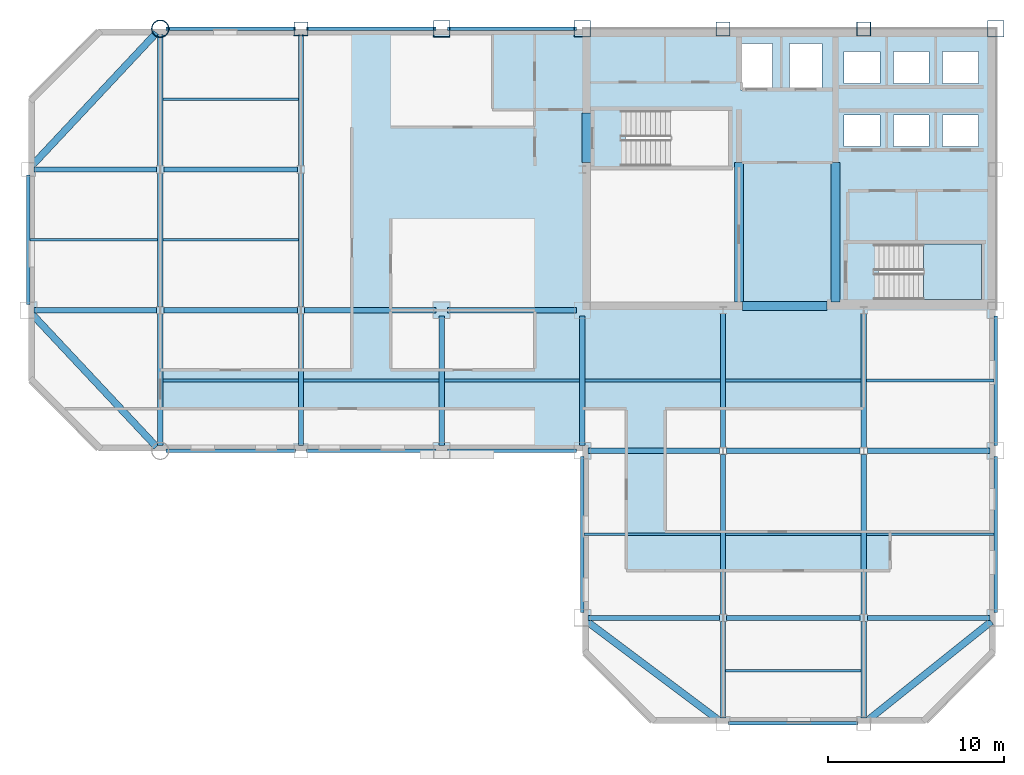
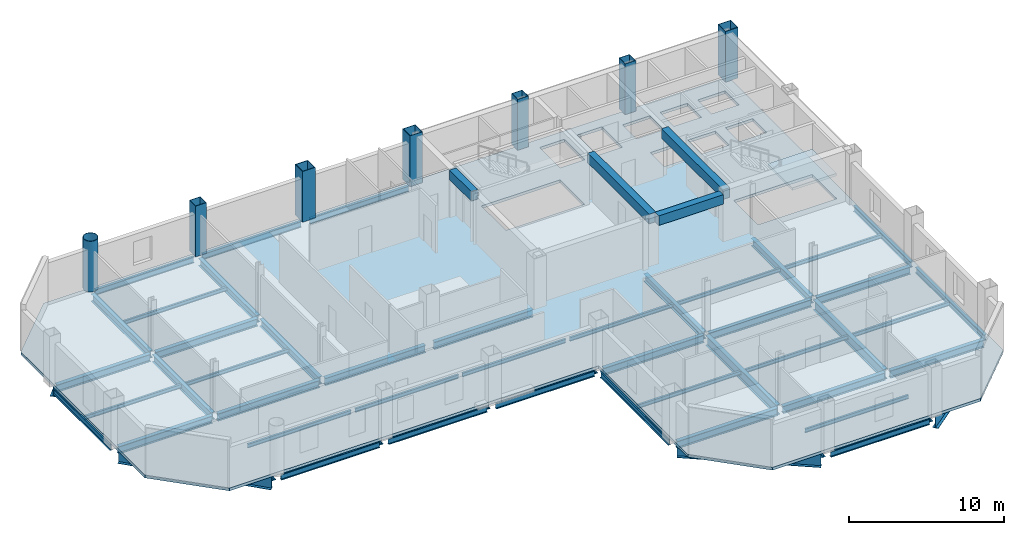
# One storey, part 3 of 10: 58 beams, 7 columns, 2 slabs, 1 element without a shape of its own.
"""IFC4 building model written with IfcOpenShell, lengths in metres."""

from ifc_helpers import new_model, si_unit, direction, frame, origin, origin_2d, place, context, subcontext, project, spatial, polyline, rectangle, hollow_rectangle, hollow_circle, i_section, outline, extrude, material, layer, layer_set, material_profile, profile_set, type_object, element, aggregate, save


model = new_model("IFC4")

# Units and contexts
model_context = context("Model", 3, precision=1e-05, world=origin(), true_north=direction((0.0, 1.0)))
body_context = subcontext(model_context, "Body", "Model", "MODEL_VIEW")
ifc_project = project(units=[si_unit("LENGTHUNIT", "METRE"), si_unit("AREAUNIT", "SQUARE_METRE"), si_unit("VOLUMEUNIT", "CUBIC_METRE"), si_unit("PLANEANGLEUNIT", "RADIAN"), si_unit("MASSUNIT", "GRAM", prefix="KILO")], contexts=[model_context])

# Site, building, storey
site_placement = place(None, origin())
site = spatial("IfcSite", under=ifc_project, at=site_placement, CompositionType="ELEMENT")
building_placement = place(site_placement, origin())
building = spatial("IfcBuilding", under=site, at=building_placement, Name="Qianrong Seaharbour Tower", CompositionType="ELEMENT")
storey_placement = place(building_placement, frame((0.0, 0.0, 217.800048828125)))
storey = spatial("IfcBuildingStorey", under=building, at=storey_placement, Name="L52", CompositionType="ELEMENT", Elevation=217.800048828125)

# Columns
ifc_material_1 = material(Name="Structural steel SN490B", Category="steel")
ifc_material_profile_1 = material_profile(ifc_material_1, hollow_rectangle(XDim=0.949951171875, YDim=0.949951171875, WallThickness=0.035888671875, at=origin_2d()), Name="BOX950x950x36")
ifc_profile_set_1 = profile_set([ifc_material_profile_1], Name="Structural steel SN490B")
column_type_1 = type_object("IfcColumnType", Name="COL-CFT-950", PredefinedType="COLUMN", material=ifc_profile_set_1)
for number, where, z_axis, x_axis, name in (
    (1, (32.5, 52.0, 0.0), (0.0, 0.0, 1.0), (1.0, 0.0, 0.0), "L52 Column MC-4 at G5/GH"),
    (2, (40.5, 52.0, 0.0), (0.0, 0.0, 1.0), (1.0, 0.0, 0.0), "L52 Column MC-4 at G6/GH"),
    (3, (64.0, 52.0, 0.0), (0.0, 0.0, 1.0), (1.0, 0.0, 0.0), "L52 Column MC-4 at G9/GH"),
):
    element("IfcColumn", number, at=place(storey_placement, frame(where, z_axis=z_axis, x_axis=x_axis)), inside=storey, type_object=column_type_1, Name=name, PredefinedType="COLUMN", context=body_context, shape_type="SweptSolid", body=[
        extrude(hollow_rectangle(XDim=0.949951171875, YDim=0.949951171875, WallThickness=0.035888671875, at=origin_2d()), origin(), (0.0, 0.0, 1.0), 4.0),
    ])
ifc_material_profile_2 = material_profile(ifc_material_1, hollow_circle(Radius=0.5, WallThickness=0.035888671875, at=origin_2d()), Name="CHS1000x36")
ifc_profile_set_2 = profile_set([ifc_material_profile_2], Name="Structural steel SN490B")
column_type_2 = type_object("IfcColumnType", Name="COL-CHS-1000", PredefinedType="COLUMN", material=ifc_profile_set_2)
column_placement = place(storey_placement, frame((16.5, 52.0, 0.0), z_axis=(0.0, 0.0, 1.0), x_axis=(1.0, 0.0, 0.0)))
element("IfcColumn", 4, at=column_placement, inside=storey, type_object=column_type_2, Name="L52 Column CC-2 at G3/GH", PredefinedType="COLUMN", context=body_context, shape_type="SweptSolid", body=[
    extrude(hollow_circle(Radius=0.5, WallThickness=0.035888671875, at=origin_2d()), origin(), (0.0, 0.0, 1.0), 4.0),
])
ifc_material_profile_3 = material_profile(ifc_material_1, hollow_rectangle(XDim=0.800048828125, YDim=0.800048828125, WallThickness=0.031982421875, at=origin_2d()), Name="BOX800x800x32")
ifc_profile_set_3 = profile_set([ifc_material_profile_3], Name="Structural steel SN490B")
column_type_3 = type_object("IfcColumnType", Name="COL-PER-800", PredefinedType="COLUMN", material=ifc_profile_set_3)
for number, where, z_axis, x_axis, name in (
    (5, (24.5, 52.0, 0.0), (0.0, 0.0, 1.0), (1.0, 0.0, 0.0), "L52 Column PC-3 at G4/GH"),
    (6, (48.5, 52.0, 0.0), (0.0, 0.0, 1.0), (1.0, 0.0, 0.0), "L52 Column PC-3 at G7/GH"),
    (7, (56.5, 52.0, 0.0), (0.0, 0.0, 1.0), (1.0, 0.0, 0.0), "L52 Column PC-3 at G8/GH"),
):
    element("IfcColumn", number, at=place(storey_placement, frame(where, z_axis=z_axis, x_axis=x_axis)), inside=storey, type_object=column_type_3, Name=name, PredefinedType="COLUMN", context=body_context, shape_type="SweptSolid", body=[
        extrude(hollow_rectangle(XDim=0.800048828125, YDim=0.800048828125, WallThickness=0.031982421875, at=origin_2d()), origin(), (0.0, 0.0, 1.0), 4.0),
    ])

# Beams
ifc_material_profile_4 = material_profile(ifc_material_1, i_section(OverallWidth=0.300048828125, OverallDepth=0.587890625, WebThickness=0.011962890625, FlangeThickness=0.02001953125, FilletRadius=0.02392578125, at=origin_2d()), Name="H588x300x12x20")
ifc_profile_set_4 = profile_set([ifc_material_profile_4], Name="Structural steel SN490B")
beam_type_1 = type_object("IfcBeamType", Name="BM-G-588", PredefinedType="BEAM", material=ifc_profile_set_4)
beam_1_placement = place(storey_placement, frame((40.820068359375, 18.5, -0.51904296875), z_axis=(1.0, 0.0, 0.0), x_axis=(0.0, 1.0, 0.0)))
element("IfcBeam", 8, at=beam_1_placement, inside=storey, type_object=beam_type_1, Name="L52 Primary Girder GD G6-G7", PredefinedType="BEAM", context=body_context, shape_type="SweptSolid", body=[
    extrude(i_section(OverallWidth=0.300048828125, OverallDepth=0.587890625, WebThickness=0.011962890625, FlangeThickness=0.02001953125, FilletRadius=0.02392578125, at=origin_2d()), origin(), (0.0, 0.0, 1.0), 7.47998046875),
])
beam_2_placement = place(storey_placement, frame((48.699951171875, 18.5, -0.51904296875), z_axis=(1.0, 0.0, 0.0), x_axis=(0.0, 1.0, 0.0)))
element("IfcBeam", 9, at=beam_2_placement, inside=storey, type_object=beam_type_1, Name="L52 Primary Girder GD G7-G8", PredefinedType="BEAM", context=body_context, shape_type="SweptSolid", body=[
    extrude(i_section(OverallWidth=0.300048828125, OverallDepth=0.587890625, WebThickness=0.011962890625, FlangeThickness=0.02001953125, FilletRadius=0.02392578125, at=origin_2d()), origin(), (0.0, 0.0, 1.0), 7.60009765625),
])
beam_3_placement = place(storey_placement, frame((56.699951171875, 18.5, -0.51904296875), z_axis=(1.0, 0.0, 0.0), x_axis=(0.0, 1.0, 0.0)))
element("IfcBeam", 10, at=beam_3_placement, inside=storey, type_object=beam_type_1, Name="L52 Primary Girder GD G8-G9", PredefinedType="BEAM", context=body_context, shape_type="SweptSolid", body=[
    extrude(i_section(OverallWidth=0.300048828125, OverallDepth=0.587890625, WebThickness=0.011962890625, FlangeThickness=0.02001953125, FilletRadius=0.02392578125, at=origin_2d()), origin(), (0.0, 0.0, 1.0), 6.97998046875),
])
beam_4_placement = place(storey_placement, frame((40.820068359375, 28.0, -0.51904296875), z_axis=(1.0, 0.0, 0.0), x_axis=(0.0, 1.0, 0.0)))
element("IfcBeam", 11, at=beam_4_placement, inside=storey, type_object=beam_type_1, Name="L52 Primary Girder GE G6-G7", PredefinedType="BEAM", context=body_context, shape_type="SweptSolid", body=[
    extrude(i_section(OverallWidth=0.300048828125, OverallDepth=0.587890625, WebThickness=0.011962890625, FlangeThickness=0.02001953125, FilletRadius=0.02392578125, at=origin_2d()), origin(), (0.0, 0.0, 1.0), 7.47998046875),
])
beam_5_placement = place(storey_placement, frame((48.699951171875, 28.0, -0.51904296875), z_axis=(1.0, 0.0, 0.0), x_axis=(0.0, 1.0, 0.0)))
element("IfcBeam", 12, at=beam_5_placement, inside=storey, type_object=beam_type_1, Name="L52 Primary Girder GE G7-G8", PredefinedType="BEAM", context=body_context, shape_type="SweptSolid", body=[
    extrude(i_section(OverallWidth=0.300048828125, OverallDepth=0.587890625, WebThickness=0.011962890625, FlangeThickness=0.02001953125, FilletRadius=0.02392578125, at=origin_2d()), origin(), (0.0, 0.0, 1.0), 7.60009765625),
])
for number, where, z_axis, x_axis, name in (
    (13, (56.699951171875, 28.0, -0.51904296875), (1.0, 0.0, 0.0), (0.0, 1.0, 0.0), "L52 Primary Girder GE G8-G9"),
    (14, (9.320068359375, 36.0, -0.51904296875), (1.0, 0.0, 0.0), (0.0, 1.0, 0.0), "L52 Primary Girder GF G2-G3"),
):
    element("IfcBeam", number, at=place(storey_placement, frame(where, z_axis=z_axis, x_axis=x_axis)), inside=storey, type_object=beam_type_1, Name=name, PredefinedType="BEAM", context=body_context, shape_type="SweptSolid", body=[
        extrude(i_section(OverallWidth=0.300048828125, OverallDepth=0.587890625, WebThickness=0.011962890625, FlangeThickness=0.02001953125, FilletRadius=0.02392578125, at=origin_2d()), origin(), (0.0, 0.0, 1.0), 6.97998046875),
    ])
beam_6_placement = place(storey_placement, frame((16.699951171875, 36.0, -0.51904296875), z_axis=(1.0, 0.0, 0.0), x_axis=(0.0, 1.0, 0.0)))
element("IfcBeam", 15, at=beam_6_placement, inside=storey, type_object=beam_type_1, Name="L52 Primary Girder GF G3-G4", PredefinedType="BEAM", context=body_context, shape_type="SweptSolid", body=[
    extrude(i_section(OverallWidth=0.300048828125, OverallDepth=0.587890625, WebThickness=0.011962890625, FlangeThickness=0.02001953125, FilletRadius=0.02392578125, at=origin_2d()), origin(), (0.0, 0.0, 1.0), 7.60009765625),
])
beam_7_placement = place(storey_placement, frame((24.699951171875, 36.0, -0.51904296875), z_axis=(1.0, 0.0, 0.0), x_axis=(0.0, 1.0, 0.0)))
element("IfcBeam", 16, at=beam_7_placement, inside=storey, type_object=beam_type_1, Name="L52 Primary Girder GF G4-G5", PredefinedType="BEAM", context=body_context, shape_type="SweptSolid", body=[
    extrude(i_section(OverallWidth=0.300048828125, OverallDepth=0.587890625, WebThickness=0.011962890625, FlangeThickness=0.02001953125, FilletRadius=0.02392578125, at=origin_2d()), origin(), (0.0, 0.0, 1.0), 7.47998046875),
])
beam_8_placement = place(storey_placement, frame((32.820068359375, 36.0, -0.51904296875), z_axis=(1.0, 0.0, 0.0), x_axis=(0.0, 1.0, 0.0)))
element("IfcBeam", 17, at=beam_8_placement, inside=storey, type_object=beam_type_1, Name="L52 Primary Girder GF G5-G6", PredefinedType="BEAM", context=body_context, shape_type="SweptSolid", body=[
    extrude(i_section(OverallWidth=0.300048828125, OverallDepth=0.587890625, WebThickness=0.011962890625, FlangeThickness=0.02001953125, FilletRadius=0.02392578125, at=origin_2d()), origin(), (0.0, 0.0, 1.0), 7.35986328125),
])
beam_9_placement = place(storey_placement, frame((9.320068359375, 44.0, -0.51904296875), z_axis=(1.0, 0.0, 0.0), x_axis=(0.0, 1.0, 0.0)))
element("IfcBeam", 18, at=beam_9_placement, inside=storey, type_object=beam_type_1, Name="L52 Primary Girder GG G2-G3", PredefinedType="BEAM", context=body_context, shape_type="SweptSolid", body=[
    extrude(i_section(OverallWidth=0.300048828125, OverallDepth=0.587890625, WebThickness=0.011962890625, FlangeThickness=0.02001953125, FilletRadius=0.02392578125, at=origin_2d()), origin(), (0.0, 0.0, 1.0), 6.97998046875),
])
beam_10_placement = place(storey_placement, frame((16.699951171875, 44.0, -0.51904296875), z_axis=(1.0, 0.0, 0.0), x_axis=(0.0, 1.0, 0.0)))
element("IfcBeam", 19, at=beam_10_placement, inside=storey, type_object=beam_type_1, Name="L52 Primary Girder GG G3-G4", PredefinedType="BEAM", context=body_context, shape_type="SweptSolid", body=[
    extrude(i_section(OverallWidth=0.300048828125, OverallDepth=0.587890625, WebThickness=0.011962890625, FlangeThickness=0.02001953125, FilletRadius=0.02392578125, at=origin_2d()), origin(), (0.0, 0.0, 1.0), 7.60009765625),
])
beam_11_placement = place(storey_placement, frame((16.5, 28.320068359375, -0.51904296875), z_axis=(0.0, 1.0, 0.0), x_axis=(-1.0, 0.0, 0.0)))
element("IfcBeam", 20, at=beam_11_placement, inside=storey, type_object=beam_type_1, Name="L52 Primary Girder G3 GE-GF", PredefinedType="BEAM", context=body_context, shape_type="SweptSolid", body=[
    extrude(i_section(OverallWidth=0.300048828125, OverallDepth=0.587890625, WebThickness=0.011962890625, FlangeThickness=0.02001953125, FilletRadius=0.02392578125, at=origin_2d()), origin(), (0.0, 0.0, 1.0), 7.47998046875),
])
beam_12_placement = place(storey_placement, frame((16.5, 36.199951171875, -0.51904296875), z_axis=(0.0, 1.0, 0.0), x_axis=(-1.0, 0.0, 0.0)))
element("IfcBeam", 21, at=beam_12_placement, inside=storey, type_object=beam_type_1, Name="L52 Primary Girder G3 GF-GG", PredefinedType="BEAM", context=body_context, shape_type="SweptSolid", body=[
    extrude(i_section(OverallWidth=0.300048828125, OverallDepth=0.587890625, WebThickness=0.011962890625, FlangeThickness=0.02001953125, FilletRadius=0.02392578125, at=origin_2d()), origin(), (0.0, 0.0, 1.0), 7.60009765625),
])
for number, where, z_axis, x_axis, name in (
    (22, (16.5, 44.199951171875, -0.51904296875), (0.0, 1.0, 0.0), (-1.0, 0.0, 0.0), "L52 Primary Girder G3 GG-GH"),
    (23, (24.5, 28.320068359375, -0.51904296875), (0.0, 1.0, 0.0), (-1.0, 0.0, 0.0), "L52 Primary Girder G4 GE-GF"),
):
    element("IfcBeam", number, at=place(storey_placement, frame(where, z_axis=z_axis, x_axis=x_axis)), inside=storey, type_object=beam_type_1, Name=name, PredefinedType="BEAM", context=body_context, shape_type="SweptSolid", body=[
        extrude(i_section(OverallWidth=0.300048828125, OverallDepth=0.587890625, WebThickness=0.011962890625, FlangeThickness=0.02001953125, FilletRadius=0.02392578125, at=origin_2d()), origin(), (0.0, 0.0, 1.0), 7.47998046875),
    ])
beam_13_placement = place(storey_placement, frame((24.5, 36.199951171875, -0.51904296875), z_axis=(0.0, 1.0, 0.0), x_axis=(-1.0, 0.0, 0.0)))
element("IfcBeam", 24, at=beam_13_placement, inside=storey, type_object=beam_type_1, Name="L52 Primary Girder G4 GF-GG", PredefinedType="BEAM", context=body_context, shape_type="SweptSolid", body=[
    extrude(i_section(OverallWidth=0.300048828125, OverallDepth=0.587890625, WebThickness=0.011962890625, FlangeThickness=0.02001953125, FilletRadius=0.02392578125, at=origin_2d()), origin(), (0.0, 0.0, 1.0), 7.60009765625),
])
beam_14_placement = place(storey_placement, frame((24.5, 44.199951171875, -0.51904296875), z_axis=(0.0, 1.0, 0.0), x_axis=(-1.0, 0.0, 0.0)))
element("IfcBeam", 25, at=beam_14_placement, inside=storey, type_object=beam_type_1, Name="L52 Primary Girder G4 GG-GH", PredefinedType="BEAM", context=body_context, shape_type="SweptSolid", body=[
    extrude(i_section(OverallWidth=0.300048828125, OverallDepth=0.587890625, WebThickness=0.011962890625, FlangeThickness=0.02001953125, FilletRadius=0.02392578125, at=origin_2d()), origin(), (0.0, 0.0, 1.0), 7.47998046875),
])
for number, where, z_axis, x_axis, name in (
    (26, (32.5, 28.320068359375, -0.51904296875), (0.0, 1.0, 0.0), (-1.0, 0.0, 0.0), "L52 Primary Girder G5 GE-GF"),
    (27, (40.5, 28.320068359375, -0.51904296875), (0.0, 1.0, 0.0), (-1.0, 0.0, 0.0), "L52 Primary Girder G6 GE-GF"),
):
    element("IfcBeam", number, at=place(storey_placement, frame(where, z_axis=z_axis, x_axis=x_axis)), inside=storey, type_object=beam_type_1, Name=name, PredefinedType="BEAM", context=body_context, shape_type="SweptSolid", body=[
        extrude(i_section(OverallWidth=0.300048828125, OverallDepth=0.587890625, WebThickness=0.011962890625, FlangeThickness=0.02001953125, FilletRadius=0.02392578125, at=origin_2d()), origin(), (0.0, 0.0, 1.0), 7.35986328125),
    ])
beam_15_placement = place(storey_placement, frame((48.5, 12.820068359375, -0.51904296875), z_axis=(0.0, 1.0, 0.0), x_axis=(-1.0, 0.0, 0.0)))
element("IfcBeam", 28, at=beam_15_placement, inside=storey, type_object=beam_type_1, Name="L52 Primary Girder G7 GC-GD", PredefinedType="BEAM", context=body_context, shape_type="SweptSolid", body=[
    extrude(i_section(OverallWidth=0.300048828125, OverallDepth=0.587890625, WebThickness=0.011962890625, FlangeThickness=0.02001953125, FilletRadius=0.02392578125, at=origin_2d()), origin(), (0.0, 0.0, 1.0), 5.47998046875),
])
beam_16_placement = place(storey_placement, frame((48.5, 28.199951171875, -0.51904296875), z_axis=(0.0, 1.0, 0.0), x_axis=(-1.0, 0.0, 0.0)))
element("IfcBeam", 29, at=beam_16_placement, inside=storey, type_object=beam_type_1, Name="L52 Primary Girder G7 GE-GF", PredefinedType="BEAM", context=body_context, shape_type="SweptSolid", body=[
    extrude(i_section(OverallWidth=0.300048828125, OverallDepth=0.587890625, WebThickness=0.011962890625, FlangeThickness=0.02001953125, FilletRadius=0.02392578125, at=origin_2d()), origin(), (0.0, 0.0, 1.0), 7.60009765625),
])
beam_17_placement = place(storey_placement, frame((56.5, 12.820068359375, -0.51904296875), z_axis=(0.0, 1.0, 0.0), x_axis=(-1.0, 0.0, 0.0)))
element("IfcBeam", 30, at=beam_17_placement, inside=storey, type_object=beam_type_1, Name="L52 Primary Girder G8 GC-GD", PredefinedType="BEAM", context=body_context, shape_type="SweptSolid", body=[
    extrude(i_section(OverallWidth=0.300048828125, OverallDepth=0.587890625, WebThickness=0.011962890625, FlangeThickness=0.02001953125, FilletRadius=0.02392578125, at=origin_2d()), origin(), (0.0, 0.0, 1.0), 5.47998046875),
])
beam_18_placement = place(storey_placement, frame((56.5, 28.199951171875, -0.51904296875), z_axis=(0.0, 1.0, 0.0), x_axis=(-1.0, 0.0, 0.0)))
element("IfcBeam", 31, at=beam_18_placement, inside=storey, type_object=beam_type_1, Name="L52 Primary Girder G8 GE-GF", PredefinedType="BEAM", context=body_context, shape_type="SweptSolid", body=[
    extrude(i_section(OverallWidth=0.300048828125, OverallDepth=0.587890625, WebThickness=0.011962890625, FlangeThickness=0.02001953125, FilletRadius=0.02392578125, at=origin_2d()), origin(), (0.0, 0.0, 1.0), 7.60009765625),
])
ifc_material_profile_5 = material_profile(ifc_material_1, i_section(OverallWidth=0.300048828125, OverallDepth=0.800048828125, WebThickness=0.013916015625, FlangeThickness=0.02587890625, FilletRadius=0.028076171875, at=origin_2d()), Name="H800x300x14x26")
ifc_profile_set_5 = profile_set([ifc_material_profile_5], Name="Structural steel SN490B")
beam_type_2 = type_object("IfcBeamType", Name="BM-G-800", PredefinedType="BEAM", material=ifc_profile_set_5)
for number, where, z_axis, x_axis, name in (
    (32, (48.5, 18.699951171875, -0.625), (0.0, 1.0, 0.0), (-1.0, 0.0, 0.0), "L52 Primary Girder G7 GD-GE"),
    (33, (56.5, 18.699951171875, -0.625), (0.0, 1.0, 0.0), (-1.0, 0.0, 0.0), "L52 Primary Girder G8 GD-GE"),
):
    element("IfcBeam", number, at=place(storey_placement, frame(where, z_axis=z_axis, x_axis=x_axis)), inside=storey, type_object=beam_type_2, Name=name, PredefinedType="BEAM", context=body_context, shape_type="SweptSolid", body=[
        extrude(i_section(OverallWidth=0.300048828125, OverallDepth=0.800048828125, WebThickness=0.013916015625, FlangeThickness=0.02587890625, FilletRadius=0.028076171875, at=origin_2d()), origin(), (0.0, 0.0, 1.0), 9.10009765625),
    ])
ifc_material_2 = material(Name="Structural steel SN400B", Category="steel")
ifc_material_profile_6 = material_profile(ifc_material_2, i_section(OverallWidth=0.14990234375, OverallDepth=0.300048828125, WebThickness=0.006591796875, FlangeThickness=0.009033203125, FilletRadius=0.012939453125, at=origin_2d()), Name="H300x150x6.5x9")
ifc_profile_set_6 = profile_set([ifc_material_profile_6], Name="Structural steel SN400B")
beam_type_3 = type_object("IfcBeamType", Name="BM-J-300", PredefinedType="JOIST", material=ifc_profile_set_6)
beam_19_placement = place(storey_placement, frame((9.10009765625, 40.0, -0.375), z_axis=(1.0, 0.0, 0.0), x_axis=(0.0, 1.0, 0.0)))
element("IfcBeam", 34, at=beam_19_placement, inside=storey, type_object=beam_type_3, Name="L52 Composite Floor Joist G2-G3/GF-GG", PredefinedType="JOIST", context=body_context, shape_type="SweptSolid", body=[
    extrude(i_section(OverallWidth=0.14990234375, OverallDepth=0.300048828125, WebThickness=0.006591796875, FlangeThickness=0.009033203125, FilletRadius=0.012939453125, at=origin_2d()), origin(), (0.0, 0.0, 1.0), 7.25),
])
for number, where, z_axis, x_axis, name in (
    (35, (16.64990234375, 32.0, -0.375), (1.0, 0.0, 0.0), (0.0, 1.0, 0.0), "L52 Composite Floor Joist G3-G4/GE-GF"),
    (36, (16.64990234375, 40.0, -0.375), (1.0, 0.0, 0.0), (0.0, 1.0, 0.0), "L52 Composite Floor Joist G3-G4/GF-GG"),
    (37, (16.64990234375, 48.0, -0.375), (1.0, 0.0, 0.0), (0.0, 1.0, 0.0), "L52 Composite Floor Joist G3-G4/GG-GH"),
    (38, (24.64990234375, 32.0, -0.375), (1.0, 0.0, 0.0), (0.0, 1.0, 0.0), "L52 Composite Floor Joist G4-G5/GE-GF"),
    (39, (32.64990234375, 32.0, -0.375), (1.0, 0.0, 0.0), (0.0, 1.0, 0.0), "L52 Composite Floor Joist G5-G6/GE-GF"),
):
    element("IfcBeam", number, at=place(storey_placement, frame(where, z_axis=z_axis, x_axis=x_axis)), inside=storey, type_object=beam_type_3, Name=name, PredefinedType="JOIST", context=body_context, shape_type="SweptSolid", body=[
        extrude(i_section(OverallWidth=0.14990234375, OverallDepth=0.300048828125, WebThickness=0.006591796875, FlangeThickness=0.009033203125, FilletRadius=0.012939453125, at=origin_2d()), origin(), (0.0, 0.0, 1.0), 7.7001953125),
    ])
beam_20_placement = place(storey_placement, frame((40.60009765625, 23.25, -0.375), z_axis=(1.0, 0.0, 0.0), x_axis=(0.0, 1.0, 0.0)))
element("IfcBeam", 40, at=beam_20_placement, inside=storey, type_object=beam_type_3, Name="L52 Composite Floor Joist G6-G7/GD-GE", PredefinedType="JOIST", context=body_context, shape_type="SweptSolid", body=[
    extrude(i_section(OverallWidth=0.14990234375, OverallDepth=0.300048828125, WebThickness=0.006591796875, FlangeThickness=0.009033203125, FilletRadius=0.012939453125, at=origin_2d()), origin(), (0.0, 0.0, 1.0), 7.75),
])
for number, where, z_axis, x_axis, name in (
    (41, (40.64990234375, 32.0, -0.375), (1.0, 0.0, 0.0), (0.0, 1.0, 0.0), "L52 Composite Floor Joist G6-G7/GE-GF"),
    (42, (48.64990234375, 15.5, -0.375), (1.0, 0.0, 0.0), (0.0, 1.0, 0.0), "L52 Composite Floor Joist G7-G8/GC-GD"),
    (43, (48.64990234375, 23.25, -0.375), (1.0, 0.0, 0.0), (0.0, 1.0, 0.0), "L52 Composite Floor Joist G7-G8/GD-GE"),
    (44, (48.64990234375, 32.0, -0.375), (1.0, 0.0, 0.0), (0.0, 1.0, 0.0), "L52 Composite Floor Joist G7-G8/GE-GF"),
):
    element("IfcBeam", number, at=place(storey_placement, frame(where, z_axis=z_axis, x_axis=x_axis)), inside=storey, type_object=beam_type_3, Name=name, PredefinedType="JOIST", context=body_context, shape_type="SweptSolid", body=[
        extrude(i_section(OverallWidth=0.14990234375, OverallDepth=0.300048828125, WebThickness=0.006591796875, FlangeThickness=0.009033203125, FilletRadius=0.012939453125, at=origin_2d()), origin(), (0.0, 0.0, 1.0), 7.7001953125),
    ])
for number, where, z_axis, x_axis, name in (
    (45, (56.64990234375, 23.25, -0.375), (1.0, 0.0, 0.0), (0.0, 1.0, 0.0), "L52 Composite Floor Joist G8-G9/GD-GE"),
    (46, (56.64990234375, 32.0, -0.375), (1.0, 0.0, 0.0), (0.0, 1.0, 0.0), "L52 Composite Floor Joist G8-G9/GE-GF"),
):
    element("IfcBeam", number, at=place(storey_placement, frame(where, z_axis=z_axis, x_axis=x_axis)), inside=storey, type_object=beam_type_3, Name=name, PredefinedType="JOIST", context=body_context, shape_type="SweptSolid", body=[
        extrude(i_section(OverallWidth=0.14990234375, OverallDepth=0.300048828125, WebThickness=0.006591796875, FlangeThickness=0.009033203125, FilletRadius=0.012939453125, at=origin_2d()), origin(), (0.0, 0.0, 1.0), 7.25),
    ])
ifc_material_3 = material(Name="Concrete C60/75", Category="concrete")
ifc_material_profile_7 = material_profile(ifc_material_3, rectangle(XDim=0.5, YDim=0.75, at=origin_2d()), Name="RC500x750")
ifc_profile_set_7 = profile_set([ifc_material_profile_7], Name="Concrete C60/75")
beam_type_4 = type_object("IfcBeamType", Name="BM-LINTEL-750", PredefinedType="LINTEL", material=ifc_profile_set_7)
beam_21_placement = place(storey_placement, frame((40.72998046875, 44.39990234375, 3.39990234375), z_axis=(0.0, 1.0, 0.0), x_axis=(-1.0, 0.0, 0.0)))
element("IfcBeam", 47, at=beam_21_placement, inside=storey, type_object=beam_type_4, Name="L52 Core Coupling Lintel Beam West", PredefinedType="LINTEL", context=body_context, shape_type="SweptSolid", body=[
    extrude(rectangle(XDim=0.5, YDim=0.75, at=origin_2d()), origin(), (0.0, 0.0, 1.0), 2.800048828125),
])
beam_22_placement = place(storey_placement, frame((49.60009765625, 36.22998046875, 3.39990234375), z_axis=(1.0, 0.0, 0.0), x_axis=(0.0, 1.0, 0.0)))
element("IfcBeam", 48, at=beam_22_placement, inside=storey, type_object=beam_type_4, Name="L52 Core Coupling Lintel Beam CBC", PredefinedType="LINTEL", context=body_context, shape_type="SweptSolid", body=[
    extrude(rectangle(XDim=0.5, YDim=0.75, at=origin_2d()), origin(), (0.0, 0.0, 1.0), 4.7998046875),
])
for number, where, z_axis, x_axis, name in (
    (49, (49.39990234375, 36.4599609375, 3.39990234375), (0.0, 1.0, 0.0), (-1.0, 0.0, 0.0), "L52 Internal Core Coupling Beam IW1"),
    (50, (54.89990234375, 36.4599609375, 3.39990234375), (0.0, 1.0, 0.0), (-1.0, 0.0, 0.0), "L52 Internal Core Coupling Beam IW2"),
):
    element("IfcBeam", number, at=place(storey_placement, frame(where, z_axis=z_axis, x_axis=x_axis)), inside=storey, type_object=beam_type_4, Name=name, PredefinedType="LINTEL", context=body_context, shape_type="SweptSolid", body=[
        extrude(rectangle(XDim=0.5, YDim=0.75, at=origin_2d()), origin(), (0.0, 0.0, 1.0), 7.93994140625),
    ])
ifc_material_profile_8 = material_profile(ifc_material_2, i_section(OverallWidth=0.199951171875, OverallDepth=0.449951171875, WebThickness=0.009033203125, FlangeThickness=0.013916015625, FilletRadius=0.01806640625, at=origin_2d()), Name="H450x200x9x14")
ifc_profile_set_8 = profile_set([ifc_material_profile_8], Name="Structural steel SN400B")
beam_type_5 = type_object("IfcBeamType", Name="BM-SP-450", PredefinedType="SPANDREL", material=ifc_profile_set_8)
for number, where, z_axis, x_axis, name in (
    (51, (48.820068359375, 12.5, -0.449951171875), (1.0, 0.0, 0.0), (0.0, 1.0, 0.0), "L52 Spandrel Girder GC G7-G8"),
    (52, (16.820068359375, 28.0, -0.449951171875), (1.0, 0.0, 0.0), (0.0, 1.0, 0.0), "L52 Spandrel Girder GE G3-G4"),
    (53, (24.820068359375, 28.0, -0.449951171875), (1.0, 0.0, 0.0), (0.0, 1.0, 0.0), "L52 Spandrel Girder GE G4-G5"),
    (54, (32.820068359375, 28.0, -0.449951171875), (1.0, 0.0, 0.0), (0.0, 1.0, 0.0), "L52 Spandrel Girder GE G5-G6"),
    (55, (16.820068359375, 52.0, -0.449951171875), (1.0, 0.0, 0.0), (0.0, 1.0, 0.0), "L52 Spandrel Girder GH G3-G4"),
    (56, (24.820068359375, 52.0, -0.449951171875), (1.0, 0.0, 0.0), (0.0, 1.0, 0.0), "L52 Spandrel Girder GH G4-G5"),
    (57, (32.820068359375, 52.0, -0.449951171875), (1.0, 0.0, 0.0), (0.0, 1.0, 0.0), "L52 Spandrel Girder GH G5-G6"),
    (58, (9.0, 36.320068359375, -0.449951171875), (0.0, 1.0, 0.0), (-1.0, 0.0, 0.0), "L52 Spandrel Girder G2 GF-GG"),
):
    element("IfcBeam", number, at=place(storey_placement, frame(where, z_axis=z_axis, x_axis=x_axis)), inside=storey, type_object=beam_type_5, Name=name, PredefinedType="SPANDREL", context=body_context, shape_type="SweptSolid", body=[
        extrude(i_section(OverallWidth=0.199951171875, OverallDepth=0.449951171875, WebThickness=0.009033203125, FlangeThickness=0.013916015625, FilletRadius=0.01806640625, at=origin_2d()), origin(), (0.0, 0.0, 1.0), 7.35986328125),
    ])
for number, where, z_axis, x_axis, name in (
    (59, (40.5, 18.820068359375, -0.449951171875), (0.0, 1.0, 0.0), (-1.0, 0.0, 0.0), "L52 Spandrel Girder G6 GD-GE"),
    (60, (64.0, 18.820068359375, -0.449951171875), (0.0, 1.0, 0.0), (-1.0, 0.0, 0.0), "L52 Spandrel Girder G9 GD-GE"),
):
    element("IfcBeam", number, at=place(storey_placement, frame(where, z_axis=z_axis, x_axis=x_axis)), inside=storey, type_object=beam_type_5, Name=name, PredefinedType="SPANDREL", context=body_context, shape_type="SweptSolid", body=[
        extrude(i_section(OverallWidth=0.199951171875, OverallDepth=0.449951171875, WebThickness=0.009033203125, FlangeThickness=0.013916015625, FilletRadius=0.01806640625, at=origin_2d()), origin(), (0.0, 0.0, 1.0), 8.85986328125),
    ])
beam_23_placement = place(storey_placement, frame((64.0, 28.320068359375, -0.449951171875), z_axis=(0.0, 1.0, 0.0), x_axis=(-1.0, 0.0, 0.0)))
element("IfcBeam", 61, at=beam_23_placement, inside=storey, type_object=beam_type_5, Name="L52 Spandrel Girder G9 GE-GF", PredefinedType="SPANDREL", context=body_context, shape_type="SweptSolid", body=[
    extrude(i_section(OverallWidth=0.199951171875, OverallDepth=0.449951171875, WebThickness=0.009033203125, FlangeThickness=0.013916015625, FilletRadius=0.01806640625, at=origin_2d()), origin(), (0.0, 0.0, 1.0), 7.35986328125),
])
ifc_material_profile_9 = material_profile(ifc_material_1, i_section(OverallWidth=0.39990234375, OverallDepth=1.10009765625, WebThickness=0.02001953125, FlangeThickness=0.035888671875, at=origin_2d()), Name="BH1100x400x20x36")
ifc_profile_set_9 = profile_set([ifc_material_profile_9], Name="Structural steel SN490B")
beam_type_6 = type_object("IfcBeamType", Name="BM-TG-1100", PredefinedType="BEAM", material=ifc_profile_set_9)
for number, where, z_axis, x_axis, name in (
    (62, (16.28125, 28.2333984375, -0.775146484375), (-0.683947420573, 0.729531305628, 0.0), (-0.729531305628, -0.683947420573, 0.0), "L52 Chamfer Corner Spandrel Girder G2/GE"),
    (63, (16.28125, 51.7666015625, -0.775146484375), (-0.683947420573, -0.729531305628, 0.0), (0.729531305628, -0.683947420573, 0.0), "L52 Chamfer Corner Spandrel Girder G2/GH"),
):
    element("IfcBeam", number, at=place(storey_placement, frame(where, z_axis=z_axis, x_axis=x_axis)), inside=storey, type_object=beam_type_6, Name=name, PredefinedType="BEAM", context=body_context, shape_type="SweptSolid", body=[
        extrude(i_section(OverallWidth=0.39990234375, OverallDepth=1.10009765625, WebThickness=0.02001953125, FlangeThickness=0.035888671875, at=origin_2d()), origin(), (0.0, 0.0, 1.0), 10.326171875),
    ])
beam_24_placement = place(storey_placement, frame((48.243896484375, 12.69189453125, -0.775146484375), z_axis=(-0.799981219482, 0.600025039875, 0.0), x_axis=(-0.600025039875, -0.799981219482, 0.0)))
element("IfcBeam", 64, at=beam_24_placement, inside=storey, type_object=beam_type_6, Name="L52 Chamfer Corner Spandrel Girder G6/GC", PredefinedType="BEAM", context=body_context, shape_type="SweptSolid", body=[
    extrude(i_section(OverallWidth=0.39990234375, OverallDepth=1.10009765625, WebThickness=0.02001953125, FlangeThickness=0.035888671875, at=origin_2d()), origin(), (0.0, 0.0, 1.0), 9.35986328125),
])
beam_25_placement = place(storey_placement, frame((56.75, 12.699951171875, -0.775146484375), z_axis=(0.780863495394, 0.624701690058, 0.0), x_axis=(-0.624701690058, 0.780863495394, 0.0)))
element("IfcBeam", 65, at=beam_25_placement, inside=storey, type_object=beam_type_6, Name="L52 Chamfer Corner Spandrel Girder G9/GC", PredefinedType="BEAM", context=body_context, shape_type="SweptSolid", body=[
    extrude(i_section(OverallWidth=0.39990234375, OverallDepth=1.10009765625, WebThickness=0.02001953125, FlangeThickness=0.035888671875, at=origin_2d()), origin(), (0.0, 0.0, 1.0), 8.96435546875),
])

# Stair, slab
ifc_material_4 = material(Name="Concrete C50/60", Category="concrete")
stair_type = type_object("IfcStairType", Name="STAIR-DOGLEG-1500-R22", PredefinedType="HALF_TURN_STAIR", material=ifc_material_4)
stair_placement = place(storey_placement, origin())
stair = element("IfcStair", 66, at=stair_placement, inside=storey, type_object=stair_type, Name="L52 Protected Escape Stair ST-2", PredefinedType="HALF_TURN_STAIR")
ifc_layer_1 = layer(ifc_material_4, 0.199951171875)
ifc_layer_set_1 = layer_set([ifc_layer_1], Name="Concrete C50/60")
slab_type_1 = type_object("IfcSlabType", Name="SLAB-STAIR-LANDING-200", PredefinedType="LANDING", material=ifc_layer_set_1)
slab_1_placement = place(storey_placement, frame((0.0, 0.0, 1.800048828125)))
slab_1 = element("IfcSlab", 67, at=slab_1_placement, type_object=slab_type_1, Name="ST-2 landing 1", PredefinedType="LANDING", context=body_context, shape_type="SweptSolid", body=[
    extrude(outline(polyline([(59.89990234375, 36.60009765625), (63.199951171875, 36.60009765625), (63.199951171875, 39.75), (59.89990234375, 39.75), (59.89990234375, 36.60009765625)])), origin(), (0.0, 0.0, 1.0), 0.199951171875),
])
aggregate(stair, [slab_1])

# Slab
ifc_layer_2 = layer(ifc_material_4, 0.22509765625)
ifc_layer_set_2 = layer_set([ifc_layer_2], Name="Concrete C50/60")
slab_type_2 = type_object("IfcSlabType", Name="SLAB-Z3-225", PredefinedType="FLOOR", material=ifc_layer_set_2)
slab_2_placement = place(storey_placement, frame((0.0, 0.0, -0.22509765625)))
element("IfcSlab", 68, at=slab_2_placement, inside=storey, type_object=slab_type_2, Name="L52 Structural Floor Slab", PredefinedType="FLOOR", context=body_context, shape_type="SweptSolid", body=[
    extrude(outline(polyline([(44.5, 12.5), (60.0, 12.5), (64.0, 16.5), (64.0, 52.0), (13.0, 52.0), (9.0, 48.0), (9.0, 32.0), (13.0, 28.0), (40.5, 28.0), (40.5, 16.5), (44.5, 12.5)]), holes=[polyline([(42.93994140625, 44.199951171875), (42.93994140625, 47.35009765625), (48.800048828125, 47.35009765625), (48.800048828125, 44.199951171875), (42.93994140625, 44.199951171875)]), polyline([(57.340087890625, 36.60009765625), (57.340087890625, 39.75), (63.199951171875, 39.75), (63.199951171875, 36.60009765625), (57.340087890625, 36.60009765625)]), polyline([(49.47998046875, 48.530029296875), (49.47998046875, 51.169921875), (51.320068359375, 51.169921875), (51.320068359375, 48.530029296875), (49.47998046875, 48.530029296875)]), polyline([(52.280029296875, 48.530029296875), (52.280029296875, 51.169921875), (54.1201171875, 51.169921875), (54.1201171875, 48.530029296875), (52.280029296875, 48.530029296875)]), polyline([(55.3798828125, 45.300048828125), (55.3798828125, 47.10009765625), (57.419921875, 47.10009765625), (57.419921875, 45.300048828125), (55.3798828125, 45.300048828125)]), polyline([(58.179931640625, 45.300048828125), (58.179931640625, 47.10009765625), (60.219970703125, 47.10009765625), (60.219970703125, 45.300048828125), (58.179931640625, 45.300048828125)]), polyline([(60.97998046875, 45.300048828125), (60.97998046875, 47.10009765625), (63.02001953125, 47.10009765625), (63.02001953125, 45.300048828125), (60.97998046875, 45.300048828125)]), polyline([(55.3798828125, 48.89990234375), (55.3798828125, 50.699951171875), (57.419921875, 50.699951171875), (57.419921875, 48.89990234375), (55.3798828125, 48.89990234375)]), polyline([(58.179931640625, 48.89990234375), (58.179931640625, 50.699951171875), (60.219970703125, 50.699951171875), (60.219970703125, 48.89990234375), (58.179931640625, 48.89990234375)]), polyline([(60.97998046875, 48.89990234375), (60.97998046875, 50.699951171875), (63.02001953125, 50.699951171875), (63.02001953125, 48.89990234375), (60.97998046875, 48.89990234375)])]), origin(), (0.0, 0.0, 1.0), 0.22509765625),
])

save(model, "model.ifc")
